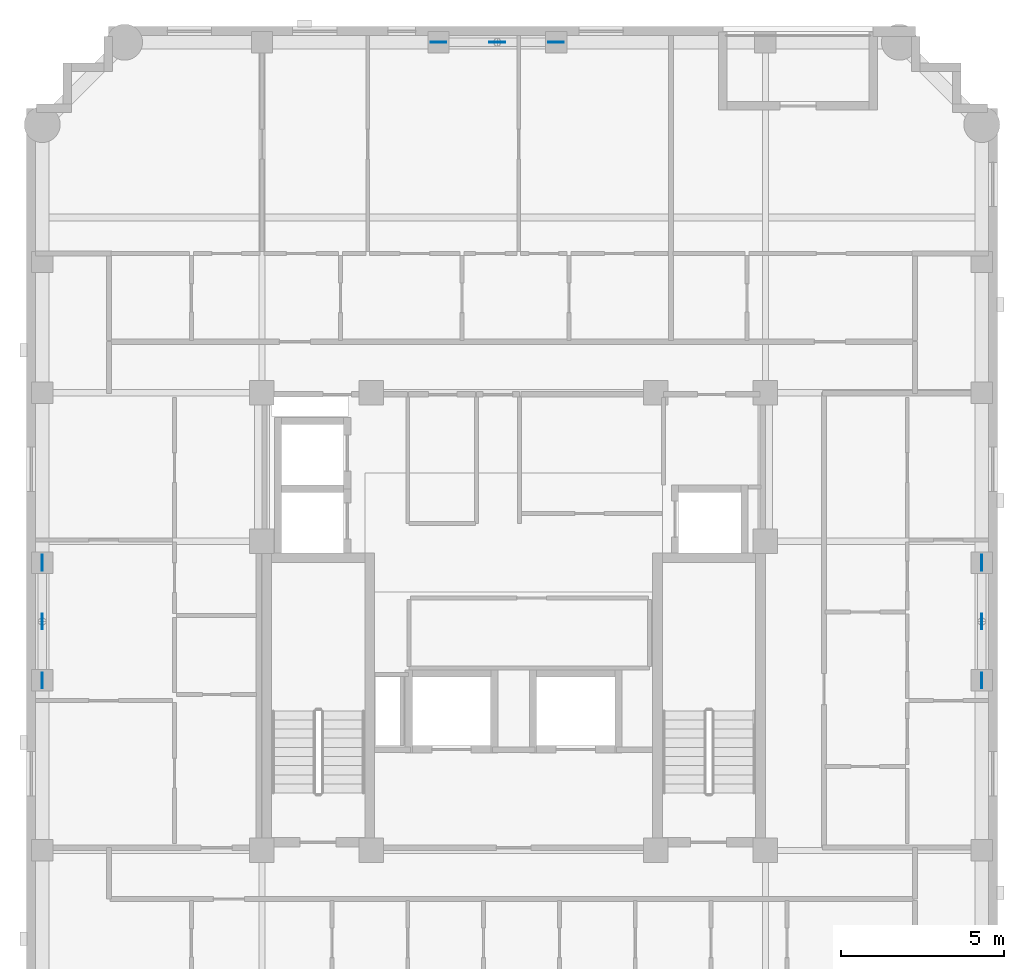
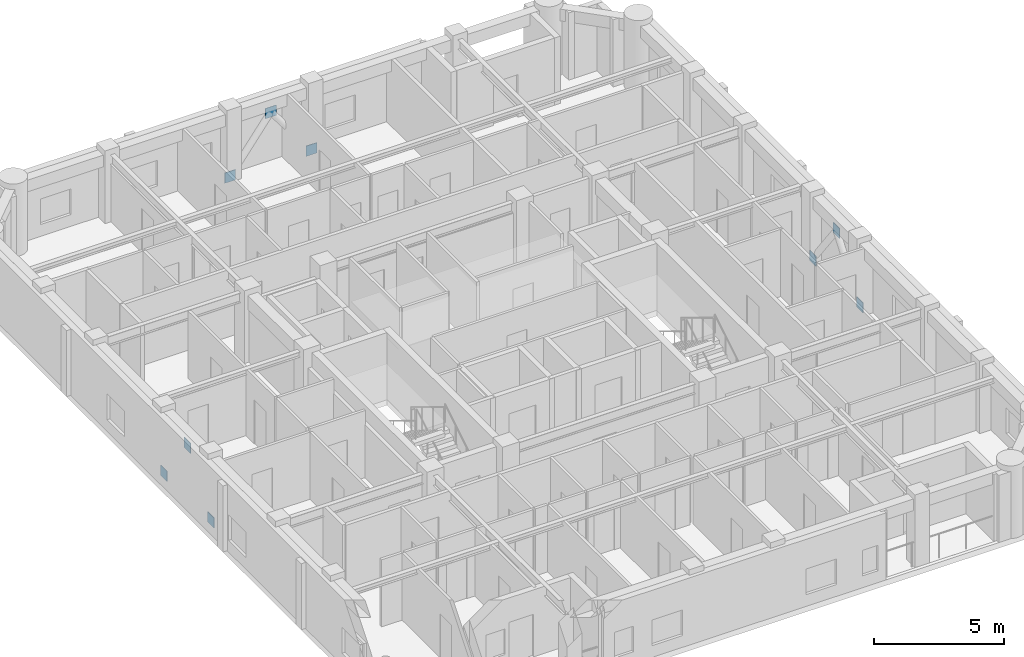
# One storey, part 9 of 11: 9 discrete accessories.
"""IFC4 building model written with IfcOpenShell, lengths in metres."""

from ifc_helpers import new_model, si_unit, derived_unit, direction, frame, origin, origin_2d, place, context, subcontext, project, spatial, rectangle, extrude, material, layer, layer_set, type_object, element, save


model = new_model("IFC4")

# Units and contexts
model_context = context("Model", 3, precision=1e-05, world=origin(), true_north=direction((0.0, 1.0)))
body_context = subcontext(model_context, "Body", "Model", "MODEL_VIEW")
ifc_project = project(units=[si_unit("LENGTHUNIT", "METRE"), si_unit("AREAUNIT", "SQUARE_METRE"), si_unit("VOLUMEUNIT", "CUBIC_METRE"), si_unit("PLANEANGLEUNIT", "RADIAN"), si_unit("MASSUNIT", "GRAM", prefix="KILO"), derived_unit("THERMALTRANSMITTANCEUNIT", [(si_unit("MASSUNIT", "GRAM", prefix="KILO"), 1), (si_unit("TIMEUNIT", "SECOND"), -3), (si_unit("THERMODYNAMICTEMPERATUREUNIT", "KELVIN"), -1)])], contexts=[model_context])

# Site, building, storey
site_placement = place(None, origin())
site = spatial("IfcSite", under=ifc_project, at=site_placement, CompositionType="ELEMENT")
building_placement = place(site_placement, origin())
building = spatial("IfcBuilding", under=site, at=building_placement, Name="Korrvale Station Residences", CompositionType="ELEMENT")
storey_placement = place(building_placement, frame((0.0, 0.0, 227.5)))
storey = spatial("IfcBuildingStorey", under=building, at=storey_placement, Name="L66", CompositionType="ELEMENT", Elevation=227.5)

# Discrete accessories
ifc_material = material(Name="Steel S355", Category="steel")
ifc_layer = layer(ifc_material, 0.02490234375, Name="Steel S355")
ifc_layer_set = layer_set([ifc_layer], Name="Steel S355")
discrete_accessory_type = type_object("IfcDiscreteAccessoryType", Name="ACC-GUSSET-25", PredefinedType="BRACKET", material=ifc_layer_set)
for number, where, z_axis, x_axis, name in (
    (1, (23.199951171875, 39.719970703125, -0.219970703125), (0.0, 0.0, 1.0), (1.0, 0.0, 0.0), "L66 N Brace End Gusset Connection A"),
    (2, (26.800048828125, 39.719970703125, -0.219970703125), (0.0, 0.0, 1.0), (1.0, 0.0, 0.0), "L66 N Brace End Gusset Connection B"),
    (3, (25.0, 39.719970703125, 2.169921875), (0.0, 0.0, 1.0), (1.0, 0.0, 0.0), "L66 N Brace End Gusset Connection M"),
    (4, (11.080078125, 20.199951171875, -0.219970703125), (0.0, 0.0, 1.0), (0.0, 1.0, 0.0), "L66 W Brace End Gusset Connection A"),
    (5, (11.080078125, 23.800048828125, -0.219970703125), (0.0, 0.0, 1.0), (0.0, 1.0, 0.0), "L66 W Brace End Gusset Connection B"),
    (6, (11.080078125, 22.0, 2.169921875), (0.0, 0.0, 1.0), (0.0, 1.0, 0.0), "L66 W Brace End Gusset Connection M"),
    (7, (39.820068359375, 20.199951171875, -0.219970703125), (0.0, 0.0, 1.0), (0.0, 1.0, 0.0), "L66 E Brace End Gusset Connection A"),
    (8, (39.820068359375, 23.800048828125, -0.219970703125), (0.0, 0.0, 1.0), (0.0, 1.0, 0.0), "L66 E Brace End Gusset Connection B"),
    (9, (39.820068359375, 22.0, 2.169921875), (0.0, 0.0, 1.0), (0.0, 1.0, 0.0), "L66 E Brace End Gusset Connection M"),
):
    element("IfcDiscreteAccessory", number, at=place(storey_placement, frame(where, z_axis=z_axis, x_axis=x_axis)), inside=storey, type_object=discrete_accessory_type, Name=name, PredefinedType="BRACKET", context=body_context, shape_type="SweptSolid", body=[
        extrude(rectangle(XDim=0.47998046875, YDim=0.02490234375, at=origin_2d()), origin(), (0.0, 0.0, 1.0), 0.47998046875),
    ])

save(model, "model.ifc")
